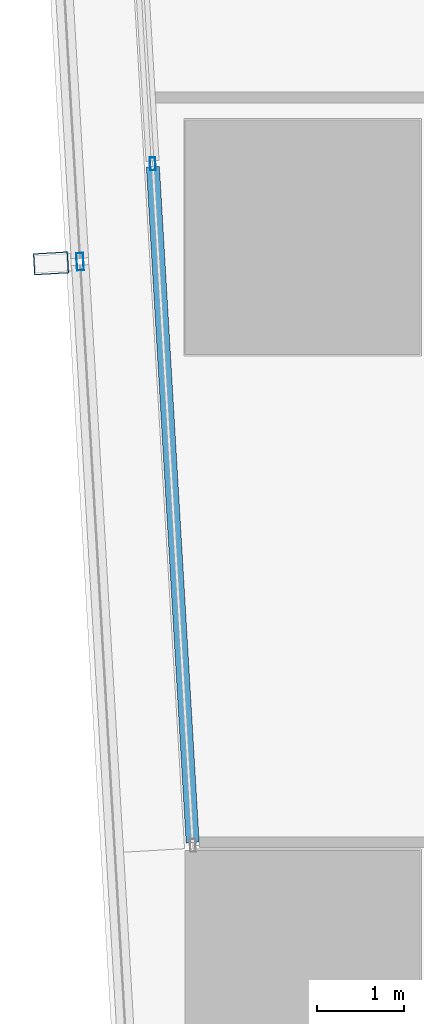
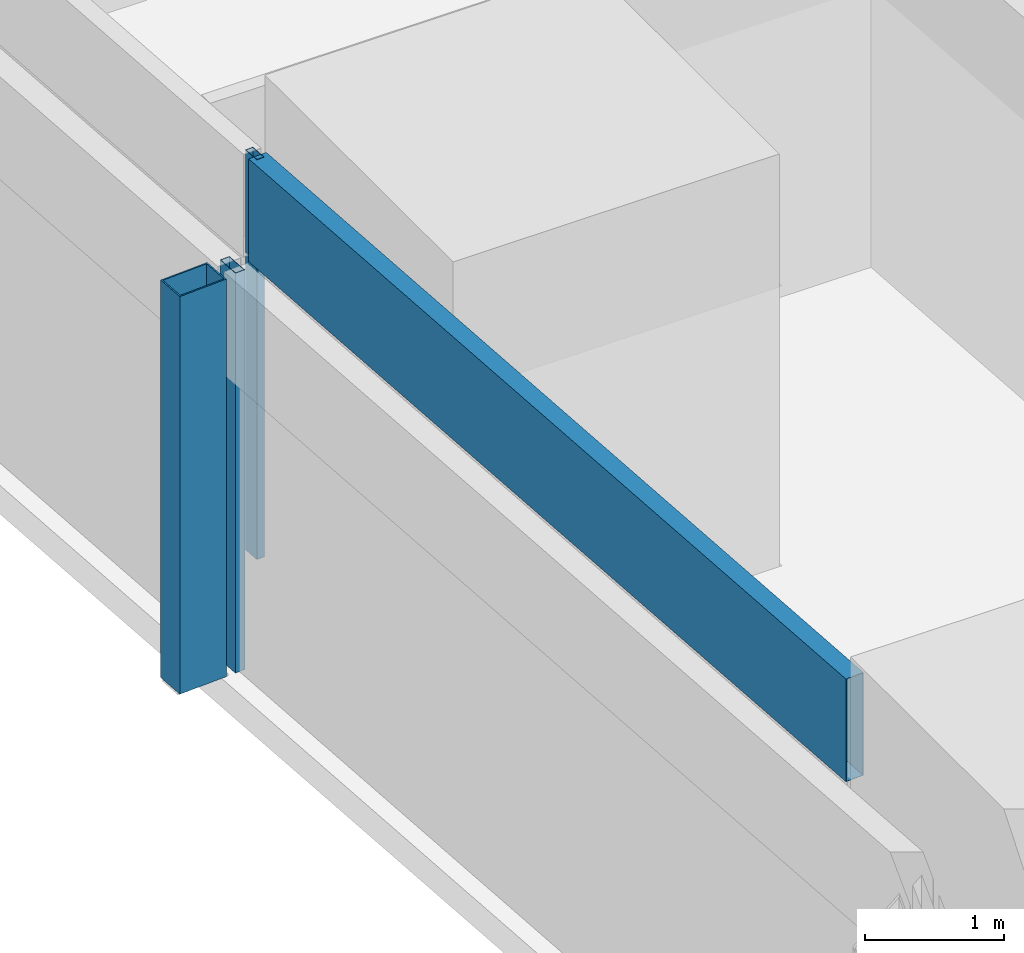
# One storey, part 6 of 36: 4 members, 2 elements without a shape of their own.
"""IFC4 building model written with IfcOpenShell, lengths in metres."""

from ifc_helpers import new_model, si_unit, direction, frame, origin, origin_2d, place, context, subcontext, project, spatial, hollow_rectangle, extrude, material, material_profile, profile_set, type_object, element, aggregate, save


model = new_model("IFC4")

# Units and contexts
model_context = context("Model", 3, precision=1e-05, world=origin(), true_north=direction((0.0, 1.0)))
body_context = subcontext(model_context, "Body", "Model", "MODEL_VIEW")
ifc_project = project(units=[si_unit("LENGTHUNIT", "METRE"), si_unit("AREAUNIT", "SQUARE_METRE"), si_unit("VOLUMEUNIT", "CUBIC_METRE"), si_unit("PLANEANGLEUNIT", "RADIAN"), si_unit("MASSUNIT", "GRAM", prefix="KILO")], contexts=[model_context])

# Site, building, storey
site_placement = place(None, origin())
site = spatial("IfcSite", under=ifc_project, at=site_placement, CompositionType="ELEMENT")
building_placement = place(site_placement, origin())
building = spatial("IfcBuilding", under=site, at=building_placement, Name="Rekha Terrace Tower", CompositionType="ELEMENT")
storey_placement = place(building_placement, frame((0.0, 0.0, 172.699951171875)))
storey = spatial("IfcBuildingStorey", under=building, at=storey_placement, Name="L43", CompositionType="ELEMENT", Elevation=172.699951171875)

# Curtain wall, member
ifc_material_1 = material(Name="Aluminium framing", Category="aluminium")
curtain_wall_type_1 = type_object("IfcCurtainWallType", Name="CW2 double skin outer glazing", PredefinedType="USERDEFINED", material=ifc_material_1)
curtain_wall_1_placement = place(storey_placement, origin())
curtain_wall_1 = element("IfcCurtainWall", 1, at=curtain_wall_1_placement, inside=storey, type_object=curtain_wall_type_1, Name="CW2 double skin outer glazing", ObjectType="DOUBLE SKIN OUTER GLAZING", PredefinedType="USERDEFINED")
ifc_material_2 = material(Name="Steel S355 with fluorocarbon finish", Category="steel")
ifc_material_profile_1 = material_profile(ifc_material_2, hollow_rectangle(XDim=0.25, YDim=0.39990234375, WallThickness=0.012451171875, at=origin_2d()), Name="RHS400x250x12.5")
ifc_profile_set_1 = profile_set([ifc_material_profile_1], Name="Steel S355 with fluorocarbon finish")
member_type_1 = type_object("IfcMemberType", Name="BL1 facade blade RHS 400 x 250", PredefinedType="USERDEFINED", material=ifc_profile_set_1)
member_1_placement = place(storey_placement, frame((5.50634765625, 33.300048828125, 0.02001953125), z_axis=(0.0, 0.0, 1.0), x_axis=(0.058764522885, -0.998271872212, 0.0)))
member_1 = element("IfcMember", 2, at=member_1_placement, type_object=member_type_1, Name="Facade blade", ObjectType="FACADE BLADE", PredefinedType="USERDEFINED", context=body_context, shape_type="SweptSolid", body=[
    extrude(hollow_rectangle(XDim=0.25, YDim=0.39990234375, WallThickness=0.012451171875, at=origin_2d()), origin(), (0.0, 0.0, 1.0), 3.47998046875),
])

# Curtain wall, members
curtain_wall_type_2 = type_object("IfcCurtainWallType", Name="CW1 double skin inner glazing", PredefinedType="USERDEFINED", material=ifc_material_1)
curtain_wall_2_placement = place(storey_placement, origin())
curtain_wall_2 = element("IfcCurtainWall", 3, at=curtain_wall_2_placement, inside=storey, type_object=curtain_wall_type_2, Name="CW1 double skin inner glazing", ObjectType="DOUBLE SKIN INNER GLAZING", PredefinedType="USERDEFINED")
ifc_material_3 = material(Name="Aluminium mullion section", Category="aluminium")
ifc_material_profile_2 = material_profile(ifc_material_3, hollow_rectangle(XDim=0.06494140625, YDim=0.14990234375, WallThickness=0.00390625, at=origin_2d()), Name="AL RHS 65x150")
ifc_profile_set_2 = profile_set([ifc_material_profile_2], Name="Aluminium mullion section")
member_type_2 = type_object("IfcMemberType", Name="CW1 mullion RHS 65 x 150", PredefinedType="MULLION", material=ifc_profile_set_2)
member_2_placement = place(storey_placement, frame((6.676025390625, 34.44482421875, 0.0), z_axis=(0.0, 0.0, 1.0), x_axis=(0.998271839266, 0.058765082569, 0.0)))
member_2 = element("IfcMember", 4, at=member_2_placement, type_object=member_type_2, Name="CW1 mullion 2", PredefinedType="MULLION", context=body_context, shape_type="SweptSolid", body=[
    extrude(hollow_rectangle(XDim=0.06494140625, YDim=0.14990234375, WallThickness=0.00390625, at=origin_2d()), origin(), (0.0, 0.0, 1.0), 3.5),
])
ifc_material_4 = material(Name="Insulated aluminium spandrel box", Category="aluminium")
ifc_material_profile_3 = material_profile(ifc_material_4, hollow_rectangle(XDim=0.14990234375, YDim=0.89990234375, WallThickness=0.0029296875, at=origin_2d()), Name="AL SPANDREL BOX 150x900")
ifc_profile_set_3 = profile_set([ifc_material_profile_3], Name="Insulated aluminium spandrel box")
member_type_3 = type_object("IfcMemberType", Name="CW1 spandrel transom 150 x 900", PredefinedType="USERDEFINED", material=ifc_profile_set_3)
member_3_placement = place(storey_placement, frame((6.677978515625, 34.412353515625, 3.050048828125), z_axis=(0.058764300708, -0.998271885291, 0.0), x_axis=(0.998271885291, 0.058764300708, 0.0)))
member_3 = element("IfcMember", 5, at=member_3_placement, type_object=member_type_3, Name="CW1 spandrel transom 2", ObjectType="TRANSOM", PredefinedType="USERDEFINED", context=body_context, shape_type="SweptSolid", body=[
    extrude(hollow_rectangle(XDim=0.14990234375, YDim=0.89990234375, WallThickness=0.0029296875, at=origin_2d()), origin(), (0.0, 0.0, 1.0), 7.78564453125),
])
aggregate(curtain_wall_2, [member_2, member_3])

# Member
ifc_material_profile_4 = material_profile(ifc_material_3, hollow_rectangle(XDim=0.080078125, YDim=0.199951171875, WallThickness=0.00390625, at=origin_2d()), Name="AL RHS 80x200")
ifc_profile_set_4 = profile_set([ifc_material_profile_4], Name="Aluminium mullion section")
member_type_4 = type_object("IfcMemberType", Name="CW2 mullion RHS 80 x 200", PredefinedType="MULLION", material=ifc_profile_set_4)
member_4_placement = place(storey_placement, frame((5.840576171875, 33.31982421875, 0.0), z_axis=(0.0, 0.0, 1.0), x_axis=(0.99827183927, 0.058765082499, 0.0)))
member_4 = element("IfcMember", 6, at=member_4_placement, type_object=member_type_4, Name="CW2 mullion 2", PredefinedType="MULLION", context=body_context, shape_type="SweptSolid", body=[
    extrude(hollow_rectangle(XDim=0.080078125, YDim=0.199951171875, WallThickness=0.00390625, at=origin_2d()), origin(), (0.0, 0.0, 1.0), 3.5),
])

aggregate(curtain_wall_1, [member_4, member_1])

save(model, "model.ifc")
